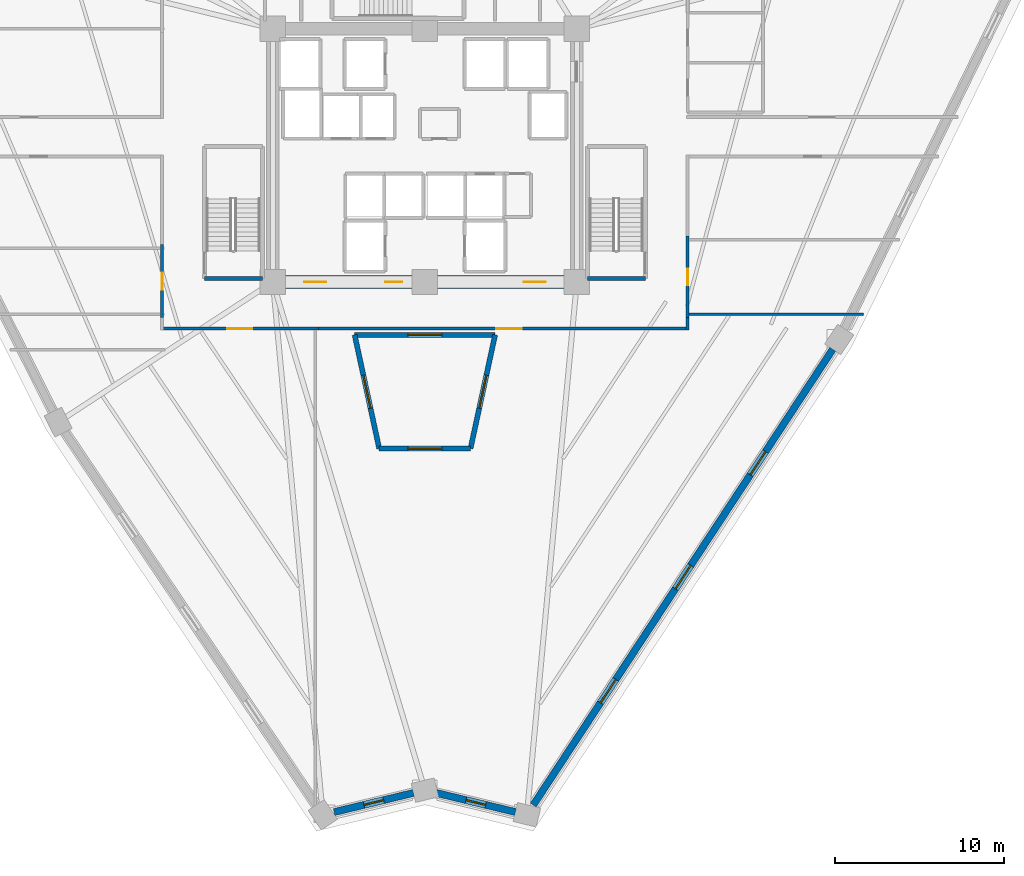
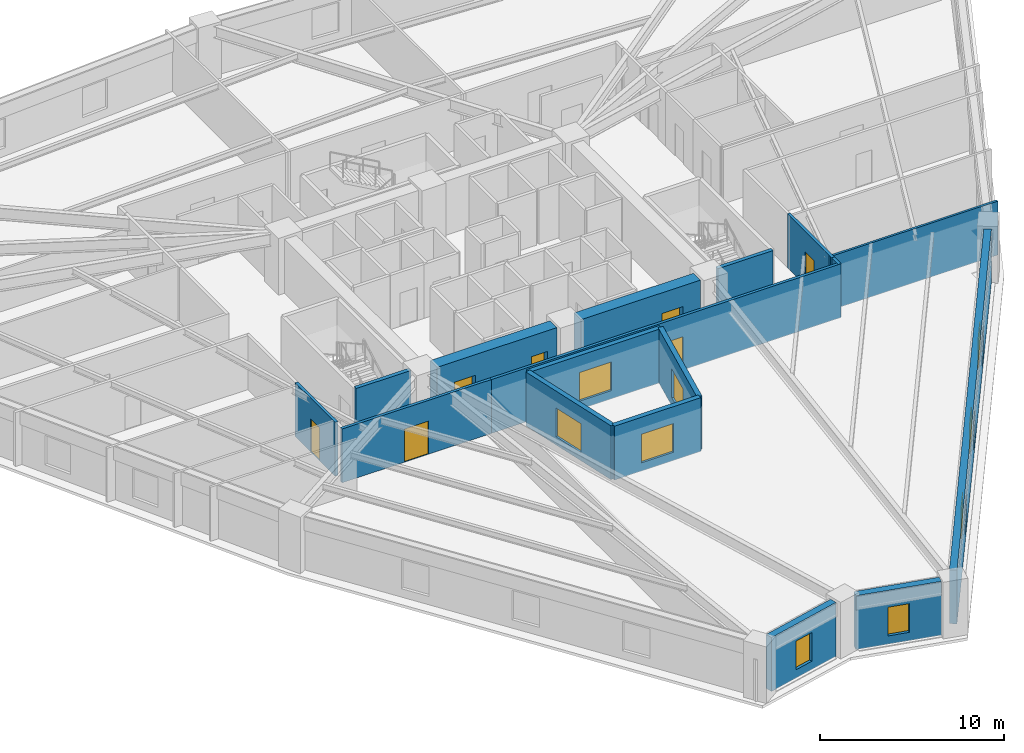
# One storey, part 3 of 9: 17 walls, 9 windows, 7 doors, 16 openings.
"""IFC4 building model written with IfcOpenShell, lengths in metres."""

from ifc_helpers import new_model, si_unit, direction, frame, frame_2d, origin, place, context, subcontext, project, spatial, rectangle, extrude, source, transform, mapped, material, layer, layer_set, type_object, element, fill, save


model = new_model("IFC4")

# Units and contexts
model_context = context("Model", 3, precision=1e-05, world=origin(), true_north=direction((0.0, 1.0)))
body_context = subcontext(model_context, "Body", "Model", "MODEL_VIEW")
ifc_project = project(units=[si_unit("LENGTHUNIT", "METRE"), si_unit("AREAUNIT", "SQUARE_METRE"), si_unit("VOLUMEUNIT", "CUBIC_METRE"), si_unit("PLANEANGLEUNIT", "RADIAN"), si_unit("MASSUNIT", "GRAM", prefix="KILO")], contexts=[model_context])

# Site, building, storey
site_placement = place(None, origin())
site = spatial("IfcSite", under=ifc_project, at=site_placement, CompositionType="ELEMENT")
building_placement = place(site_placement, origin())
building = spatial("IfcBuilding", under=site, at=building_placement, Name="Liaohun Quay Tower", CompositionType="ELEMENT")
storey_placement = place(building_placement, frame((0.0, 0.0, 102.0)))
storey = spatial("IfcBuildingStorey", under=building, at=storey_placement, Name="L26", CompositionType="ELEMENT", Elevation=102.0)

# Wall, opening, window
ifc_material_1 = material(Name="Concrete C50", Category="concrete")
ifc_layer_1 = layer(ifc_material_1, 0.300048828125, Name="Concrete C50", Category="concrete")
ifc_layer_set_1 = layer_set([ifc_layer_1], Name="Concrete C50")
wall_type_1 = type_object("IfcWallType", Name="WAL-ATR-300", PredefinedType="SOLIDWALL", material=ifc_layer_set_1)
wall_1_placement = place(storey_placement, frame((57.297119140625, 36.637939453125, 0.0), z_axis=(0.0, 0.0, 1.0), x_axis=(-0.211395025219, 0.977400707649, 0.0)))
wall_1 = element("IfcWall", 1, at=wall_1_placement, inside=storey, type_object=wall_type_1, Name="L26 Atrium Fire Compartment Wall 1", PredefinedType="SOLIDWALL", context=body_context, shape_type="SweptSolid", body=[
    extrude(rectangle(XDim=6.887939453125, YDim=0.300048828125, at=frame_2d((3.44384765625, 0.0))), origin(), (0.0, 0.0, 1.0), 3.570068359375),
])
shared_shape_1 = source(origin(), body_context, "Body", "SweptSolid", [
    extrude(rectangle(XDim=2.0, YDim=1.89990234375, at=frame_2d((1.0, 0.949951171875))), frame((0.0, 0.159912109375, 0.0), z_axis=(0.0, -1.0, 0.0), x_axis=(1.0, 0.0, 0.0)), (0.0, 0.0, 1.0), 0.320068359375),
])
opening_1_placement = place(wall_1_placement, frame((2.444091796875, 0.0, 0.550048828125)))
opening_1 = element("IfcOpeningElement", 2, at=opening_1_placement, cuts=wall_1, Name="Opening W07", PredefinedType="OPENING", context=body_context, shape_type="MappedRepresentation", body=[
    mapped(shared_shape_1, transform((0.0, 0.0, 0.0), x_axis=(1.0, 0.0, 0.0), y_axis=(0.0, 1.0, 0.0), z_axis=(0.0, 0.0, 1.0), scale=1.0)),
])
ifc_material_2 = material(Name="Class A 180-min fire-resistant insulated glazing", Category="glass")
window_type_1 = type_object("IfcWindowType", Name="WIN-ATR-FIR", PartitioningType="DOUBLE_PANEL_VERTICAL", PredefinedType="WINDOW", material=ifc_material_2)
shared_shape_2 = source(origin(), body_context, "Body", "SweptSolid", [
    extrude(rectangle(XDim=2.0, YDim=1.89990234375, at=frame_2d((1.0, 0.949951171875))), frame((0.0, 0.030029296875, 0.0), z_axis=(0.0, -1.0, 0.0), x_axis=(1.0, 0.0, 0.0)), (0.0, 0.0, 1.0), 0.06005859375),
])
window_1_placement = place(opening_1_placement, origin())
window_1 = element("IfcWindow", 3, at=window_1_placement, inside=storey, type_object=window_type_1, Name="L26 Atrium Fire-Resistant Glazing W07-1", OverallHeight=1.89990234375, OverallWidth=2.0, PartitioningType="DOUBLE_PANEL_VERTICAL", PredefinedType="WINDOW", context=body_context, shape_type="MappedRepresentation", body=[
    mapped(shared_shape_2, transform((0.0, 0.0, 0.0), x_axis=(1.0, 0.0, 0.0), y_axis=(0.0, 1.0, 0.0), z_axis=(0.0, 0.0, 1.0), scale=1.0)),
])
fill(opening_1, window_1)

wall_2_placement = place(storey_placement, frame((55.841064453125, 43.3701171875, 0.0), z_axis=(0.0, 0.0, 1.0), x_axis=(1.0, 0.0, 0.0)))
wall_2 = element("IfcWall", 4, at=wall_2_placement, inside=storey, type_object=wall_type_1, Name="L26 Atrium Fire Compartment Wall 2", PredefinedType="SOLIDWALL", context=body_context, shape_type="SweptSolid", body=[
    extrude(rectangle(XDim=8.31787109375, YDim=0.300048828125, at=frame_2d((4.158935546875, 0.0))), origin(), (0.0, 0.0, 1.0), 3.570068359375),
])
opening_2_placement = place(wall_2_placement, frame((3.158935546875, 0.0, 0.550048828125)))
opening_2 = element("IfcOpeningElement", 5, at=opening_2_placement, cuts=wall_2, Name="Opening W07", PredefinedType="OPENING", context=body_context, shape_type="MappedRepresentation", body=[
    mapped(shared_shape_1, transform((0.0, 0.0, 0.0), x_axis=(1.0, 0.0, 0.0), y_axis=(0.0, 1.0, 0.0), z_axis=(0.0, 0.0, 1.0), scale=1.0)),
])
window_2_placement = place(opening_2_placement, origin())
window_2 = element("IfcWindow", 6, at=window_2_placement, inside=storey, type_object=window_type_1, Name="L26 Atrium Fire-Resistant Glazing W07-2", OverallHeight=1.89990234375, OverallWidth=2.0, PartitioningType="DOUBLE_PANEL_VERTICAL", PredefinedType="WINDOW", context=body_context, shape_type="MappedRepresentation", body=[
    mapped(shared_shape_2, transform((0.0, 0.0, 0.0), x_axis=(1.0, 0.0, 0.0), y_axis=(0.0, 1.0, 0.0), z_axis=(0.0, 0.0, 1.0), scale=1.0)),
])
fill(opening_2, window_2)

wall_3_placement = place(storey_placement, frame((64.158935546875, 43.3701171875, 0.0), z_axis=(0.0, 0.0, 1.0), x_axis=(-0.211395025219, -0.977400707649, 0.0)))
wall_3 = element("IfcWall", 7, at=wall_3_placement, inside=storey, type_object=wall_type_1, Name="L26 Atrium Fire Compartment Wall 3", PredefinedType="SOLIDWALL", context=body_context, shape_type="SweptSolid", body=[
    extrude(rectangle(XDim=6.887939453125, YDim=0.300048828125, at=frame_2d((3.44384765625, 0.0))), origin(), (0.0, 0.0, 1.0), 3.570068359375),
])
opening_3_placement = place(wall_3_placement, frame((2.444091796875, 0.0, 0.550048828125)))
opening_3 = element("IfcOpeningElement", 8, at=opening_3_placement, cuts=wall_3, Name="Opening W07", PredefinedType="OPENING", context=body_context, shape_type="MappedRepresentation", body=[
    mapped(shared_shape_1, transform((0.0, 0.0, 0.0), x_axis=(1.0, 0.0, 0.0), y_axis=(0.0, 1.0, 0.0), z_axis=(0.0, 0.0, 1.0), scale=1.0)),
])
window_3_placement = place(opening_3_placement, origin())
window_3 = element("IfcWindow", 9, at=window_3_placement, inside=storey, type_object=window_type_1, Name="L26 Atrium Fire-Resistant Glazing W07-3", OverallHeight=1.89990234375, OverallWidth=2.0, PartitioningType="DOUBLE_PANEL_VERTICAL", PredefinedType="WINDOW", context=body_context, shape_type="MappedRepresentation", body=[
    mapped(shared_shape_2, transform((0.0, 0.0, 0.0), x_axis=(1.0, 0.0, 0.0), y_axis=(0.0, 1.0, 0.0), z_axis=(0.0, 0.0, 1.0), scale=1.0)),
])
fill(opening_3, window_3)

wall_4_placement = place(storey_placement, frame((62.702880859375, 36.637939453125, 0.0), z_axis=(0.0, 0.0, 1.0), x_axis=(-1.0, 0.0, 0.0)))
wall_4 = element("IfcWall", 10, at=wall_4_placement, inside=storey, type_object=wall_type_1, Name="L26 Atrium Fire Compartment Wall 4", PredefinedType="SOLIDWALL", context=body_context, shape_type="SweptSolid", body=[
    extrude(rectangle(XDim=5.40576171875, YDim=0.300048828125, at=frame_2d((2.702880859375, 0.0))), origin(), (0.0, 0.0, 1.0), 3.570068359375),
])
opening_4_placement = place(wall_4_placement, frame((1.702880859375, 0.0, 0.550048828125)))
opening_4 = element("IfcOpeningElement", 11, at=opening_4_placement, cuts=wall_4, Name="Opening W07", PredefinedType="OPENING", context=body_context, shape_type="MappedRepresentation", body=[
    mapped(shared_shape_1, transform((0.0, 0.0, 0.0), x_axis=(1.0, 0.0, 0.0), y_axis=(0.0, 1.0, 0.0), z_axis=(0.0, 0.0, 1.0), scale=1.0)),
])
window_4_placement = place(opening_4_placement, origin())
window_4 = element("IfcWindow", 12, at=window_4_placement, inside=storey, type_object=window_type_1, Name="L26 Atrium Fire-Resistant Glazing W07-4", OverallHeight=1.89990234375, OverallWidth=2.0, PartitioningType="DOUBLE_PANEL_VERTICAL", PredefinedType="WINDOW", context=body_context, shape_type="MappedRepresentation", body=[
    mapped(shared_shape_2, transform((0.0, 0.0, 0.0), x_axis=(1.0, 0.0, 0.0), y_axis=(0.0, 1.0, 0.0), z_axis=(0.0, 0.0, 1.0), scale=1.0)),
])
fill(opening_4, window_4)

# Wall, opening, door
ifc_material_3 = material(Name="Concrete C60", Category="concrete")
ifc_layer_2 = layer(ifc_material_3, 0.75, Name="Concrete C60", Category="concrete")
ifc_layer_set_2 = layer_set([ifc_layer_2], Name="Concrete C60")
wall_type_2 = type_object("IfcWallType", Name="WAL-COR-Z2", PredefinedType="SHEAR", material=ifc_layer_set_2)
wall_5_placement = place(storey_placement, frame((68.25, 46.5, 0.0), z_axis=(0.0, 0.0, 1.0), x_axis=(-1.0, 0.0, 0.0)))
wall_5 = element("IfcWall", 13, at=wall_5_placement, inside=storey, type_object=wall_type_2, Name="L26 Central Core Shear Wall S-E", PredefinedType="SHEAR", context=body_context, shape_type="SweptSolid", body=[
    extrude(rectangle(XDim=7.5, YDim=0.75, at=frame_2d((3.75, 0.0))), origin(), (0.0, 0.0, 1.0), 3.570068359375),
])
shared_shape_3 = source(origin(), body_context, "Body", "SweptSolid", [
    extrude(rectangle(XDim=1.300048828125, YDim=2.199951171875, at=frame_2d((0.64990234375, 1.10009765625))), frame((0.0, 0.385009765625, 0.0), z_axis=(0.0, -1.0, 0.0), x_axis=(1.0, 0.0, 0.0)), (0.0, 0.0, 1.0), 0.77001953125),
])
opening_5_placement = place(wall_5_placement, frame((1.10009765625, 0.0, 0.0)))
opening_5 = element("IfcOpeningElement", 14, at=opening_5_placement, cuts=wall_5, Name="Opening FD1", PredefinedType="OPENING", context=body_context, shape_type="MappedRepresentation", body=[
    mapped(shared_shape_3, transform((0.0, 0.0, 0.0), x_axis=(1.0, 0.0, 0.0), y_axis=(0.0, 1.0, 0.0), z_axis=(0.0, 0.0, 1.0), scale=1.0)),
])
ifc_material_4 = material(Name="Galvanised steel smokeproof fire door", Category="steel")
door_type_1 = type_object("IfcDoorType", Name="DOR-FFL-1300", OperationType="NOTDEFINED", PredefinedType="DOOR", material=ifc_material_4)
shared_shape_4 = source(origin(), body_context, "Body", "SweptSolid", [
    extrude(rectangle(XDim=1.300048828125, YDim=2.199951171875, at=frame_2d((0.64990234375, 1.10009765625))), frame((0.0, 0.02490234375, 0.0), z_axis=(0.0, -1.0, 0.0), x_axis=(1.0, 0.0, 0.0)), (0.0, 0.0, 1.0), 0.050048828125),
])
door_1_placement = place(opening_5_placement, origin())
door_1 = element("IfcDoor", 15, at=door_1_placement, inside=storey, type_object=door_type_1, Name="L26 East Core Lift Lobby Smokeproof Door", OperationType="SINGLE_SWING_LEFT", OverallHeight=2.199951171875, OverallWidth=1.300048828125, PredefinedType="DOOR", context=body_context, shape_type="MappedRepresentation", body=[
    mapped(shared_shape_4, transform((0.0, 0.0, 0.0), x_axis=(1.0, 0.0, 0.0), y_axis=(0.0, 1.0, 0.0), z_axis=(0.0, 0.0, 1.0), scale=1.0)),
])
fill(opening_5, door_1)

# Wall, openings, doors
wall_6_placement = place(storey_placement, frame((59.25, 46.5, 0.0), z_axis=(0.0, 0.0, 1.0), x_axis=(-1.0, 0.0, 0.0)))
wall_6 = element("IfcWall", 16, at=wall_6_placement, inside=storey, type_object=wall_type_2, Name="L26 Central Core Shear Wall S-W", PredefinedType="SHEAR", context=body_context, shape_type="SweptSolid", body=[
    extrude(rectangle(XDim=7.5, YDim=0.75, at=frame_2d((3.75, 0.0))), origin(), (0.0, 0.0, 1.0), 3.570068359375),
])
opening_6_placement = place(wall_6_placement, frame((5.10009765625, 0.0, 0.0)))
opening_6 = element("IfcOpeningElement", 17, at=opening_6_placement, cuts=wall_6, Name="Opening FD1", PredefinedType="OPENING", context=body_context, shape_type="MappedRepresentation", body=[
    mapped(shared_shape_3, transform((0.0, 0.0, 0.0), x_axis=(1.0, 0.0, 0.0), y_axis=(0.0, 1.0, 0.0), z_axis=(0.0, 0.0, 1.0), scale=1.0)),
])
shared_shape_5 = source(origin(), body_context, "Body", "SweptSolid", [
    extrude(rectangle(XDim=1.0, YDim=2.199951171875, at=frame_2d((0.5, 1.10009765625))), frame((0.0, 0.385009765625, 0.0), z_axis=(0.0, -1.0, 0.0), x_axis=(1.0, 0.0, 0.0)), (0.0, 0.0, 1.0), 0.77001953125),
])
opening_7_placement = place(wall_6_placement, frame((0.60009765625, 0.0, 0.0)))
opening_7 = element("IfcOpeningElement", 18, at=opening_7_placement, cuts=wall_6, Name="Opening FD2", PredefinedType="OPENING", context=body_context, shape_type="MappedRepresentation", body=[
    mapped(shared_shape_5, transform((0.0, 0.0, 0.0), x_axis=(1.0, 0.0, 0.0), y_axis=(0.0, 1.0, 0.0), z_axis=(0.0, 0.0, 1.0), scale=1.0)),
])
door_2_placement = place(opening_6_placement, origin())
door_2 = element("IfcDoor", 19, at=door_2_placement, inside=storey, type_object=door_type_1, Name="L26 West Core Lift Lobby Smokeproof Door", OperationType="SINGLE_SWING_RIGHT", OverallHeight=2.199951171875, OverallWidth=1.300048828125, PredefinedType="DOOR", context=body_context, shape_type="MappedRepresentation", body=[
    mapped(shared_shape_4, transform((0.0, 0.0, 0.0), x_axis=(1.0, 0.0, 0.0), y_axis=(0.0, 1.0, 0.0), z_axis=(0.0, 0.0, 1.0), scale=1.0)),
])
fill(opening_6, door_2)
ifc_material_5 = material(Name="Galvanised steel smokeproof lobby fire door", Category="steel")
door_type_2 = type_object("IfcDoorType", Name="DOR-FFL-1000", OperationType="NOTDEFINED", PredefinedType="DOOR", material=ifc_material_5)
shared_shape_6 = source(origin(), body_context, "Body", "SweptSolid", [
    extrude(rectangle(XDim=1.0, YDim=2.199951171875, at=frame_2d((0.5, 1.10009765625))), frame((0.0, 0.02490234375, 0.0), z_axis=(0.0, -1.0, 0.0), x_axis=(1.0, 0.0, 0.0)), (0.0, 0.0, 1.0), 0.050048828125),
])
door_3_placement = place(opening_7_placement, origin())
door_3 = element("IfcDoor", 20, at=door_3_placement, inside=storey, type_object=door_type_2, Name="L26 South Firefighting Lobby Smokeproof Door", OperationType="SINGLE_SWING_LEFT", OverallHeight=2.199951171875, OverallWidth=1.0, PredefinedType="DOOR", context=body_context, shape_type="MappedRepresentation", body=[
    mapped(shared_shape_6, transform((0.0, 0.0, 0.0), x_axis=(1.0, 0.0, 0.0), y_axis=(0.0, 1.0, 0.0), z_axis=(0.0, 0.0, 1.0), scale=1.0)),
])
fill(opening_7, door_3)

# Wall, opening, window
ifc_material_6 = material(Name="Precast concrete C50 insulated sandwich", Category="concrete")
ifc_layer_3 = layer(ifc_material_6, 0.419921875, Name="Precast concrete C50 insulated sandwich", Category="concrete")
ifc_layer_set_3 = layer_set([ifc_layer_3], Name="Precast concrete C50 insulated sandwich")
wall_type_3 = type_object("IfcWallType", Name="WAL-EXT-Z12", PredefinedType="SOLIDWALL", material=ifc_layer_set_3)
wall_7_placement = place(storey_placement, frame((60.6708984375, 16.2490234375, 0.0), z_axis=(0.0, 0.0, 1.0), x_axis=(0.972069490492, -0.234693216037, 0.0)))
wall_7 = element("IfcWall", 21, at=wall_7_placement, inside=storey, type_object=wall_type_3, Name="L26 Brutalist Precast Pier Wall 01", PredefinedType="SOLIDWALL", context=body_context, shape_type="SweptSolid", body=[
    extrude(rectangle(XDim=4.83203125, YDim=0.419921875, at=frame_2d((2.416015625, 0.0))), origin(), (0.0, 0.0, 1.0), 3.570068359375),
])
shared_shape_7 = source(origin(), body_context, "Body", "SweptSolid", [
    extrude(rectangle(XDim=1.199951171875, YDim=1.89990234375, at=frame_2d((0.60009765625, 0.949951171875))), frame((0.0, 0.219970703125, 0.0), z_axis=(0.0, -1.0, 0.0), x_axis=(1.0, 0.0, 0.0)), (0.0, 0.0, 1.0), 0.43994140625),
])
opening_8_placement = place(wall_7_placement, frame((1.81591796875, 0.0, 0.550048828125)))
opening_8 = element("IfcOpeningElement", 22, at=opening_8_placement, cuts=wall_7, Name="Opening W05", PredefinedType="OPENING", context=body_context, shape_type="MappedRepresentation", body=[
    mapped(shared_shape_7, transform((0.0, 0.0, 0.0), x_axis=(1.0, 0.0, 0.0), y_axis=(0.0, 1.0, 0.0), z_axis=(0.0, 0.0, 1.0), scale=1.0)),
])
ifc_material_7 = material(Name="Triple Low-E corner notch glazing", Category="glass")
window_type_2 = type_object("IfcWindowType", Name="WIN-NOTCH", PartitioningType="SINGLE_PANEL", PredefinedType="WINDOW", material=ifc_material_7)
shared_shape_8 = source(origin(), body_context, "Body", "SweptSolid", [
    extrude(rectangle(XDim=1.199951171875, YDim=1.89990234375, at=frame_2d((0.60009765625, 0.949951171875))), frame((0.0, 0.030029296875, 0.0), z_axis=(0.0, -1.0, 0.0), x_axis=(1.0, 0.0, 0.0)), (0.0, 0.0, 1.0), 0.06005859375),
])
window_5_placement = place(opening_8_placement, origin())
window_5 = element("IfcWindow", 23, at=window_5_placement, inside=storey, type_object=window_type_2, Name="L26 Corner Notch Window W05-01", OverallHeight=1.89990234375, OverallWidth=1.199951171875, PartitioningType="SINGLE_PANEL", PredefinedType="WINDOW", context=body_context, shape_type="MappedRepresentation", body=[
    mapped(shared_shape_8, transform((0.0, 0.0, 0.0), x_axis=(1.0, 0.0, 0.0), y_axis=(0.0, 1.0, 0.0), z_axis=(0.0, 0.0, 1.0), scale=1.0)),
])
fill(opening_8, window_5)

# Wall, openings, windows
wall_8_placement = place(storey_placement, frame((66.41796875, 15.530029296875, 0.0), z_axis=(0.0, 0.0, 1.0), x_axis=(0.549159785608, 0.835717374398, 0.0)))
wall_8 = element("IfcWall", 24, at=wall_8_placement, inside=storey, type_object=wall_type_3, Name="L26 Brutalist Precast Pier Wall 02", PredefinedType="SOLIDWALL", context=body_context, shape_type="SweptSolid", body=[
    extrude(rectangle(XDim=32.296875, YDim=0.419921875, at=frame_2d((16.1484375, 0.0))), origin(), (0.0, 0.0, 1.0), 3.570068359375),
])
shared_shape_9 = source(origin(), body_context, "Body", "SweptSolid", [
    extrude(rectangle(XDim=1.64990234375, YDim=1.949951171875, at=frame_2d((0.824951171875, 0.97509765625))), frame((0.0, 0.219970703125, 0.0), z_axis=(0.0, -1.0, 0.0), x_axis=(1.0, 0.0, 0.0)), (0.0, 0.0, 1.0), 0.43994140625),
])
opening_9_placement = place(wall_8_placement, frame((7.2490234375, 0.0, 0.550048828125)))
opening_9 = element("IfcOpeningElement", 25, at=opening_9_placement, cuts=wall_8, Name="Opening W02", PredefinedType="OPENING", context=body_context, shape_type="MappedRepresentation", body=[
    mapped(shared_shape_9, transform((0.0, 0.0, 0.0), x_axis=(1.0, 0.0, 0.0), y_axis=(0.0, 1.0, 0.0), z_axis=(0.0, 0.0, 1.0), scale=1.0)),
])
opening_10_placement = place(wall_8_placement, frame((15.322998046875, 0.0, 0.550048828125)))
opening_10 = element("IfcOpeningElement", 26, at=opening_10_placement, cuts=wall_8, Name="Opening W02", PredefinedType="OPENING", context=body_context, shape_type="MappedRepresentation", body=[
    mapped(shared_shape_9, transform((0.0, 0.0, 0.0), x_axis=(1.0, 0.0, 0.0), y_axis=(0.0, 1.0, 0.0), z_axis=(0.0, 0.0, 1.0), scale=1.0)),
])
opening_11_placement = place(wall_8_placement, frame((23.39794921875, 0.0, 0.550048828125)))
opening_11 = element("IfcOpeningElement", 27, at=opening_11_placement, cuts=wall_8, Name="Opening W02", PredefinedType="OPENING", context=body_context, shape_type="MappedRepresentation", body=[
    mapped(shared_shape_9, transform((0.0, 0.0, 0.0), x_axis=(1.0, 0.0, 0.0), y_axis=(0.0, 1.0, 0.0), z_axis=(0.0, 0.0, 1.0), scale=1.0)),
])
ifc_material_8 = material(Name="Triple Low-E argon glazing in thermally broken aluminium", Category="aluminium")
window_type_3 = type_object("IfcWindowType", Name="WIN-PUN-Z2", PartitioningType="DOUBLE_PANEL_VERTICAL", PredefinedType="WINDOW", material=ifc_material_8)
shared_shape_10 = source(origin(), body_context, "Body", "SweptSolid", [
    extrude(rectangle(XDim=1.64990234375, YDim=1.949951171875, at=frame_2d((0.824951171875, 0.97509765625))), frame((0.0, 0.030029296875, 0.0), z_axis=(0.0, -1.0, 0.0), x_axis=(1.0, 0.0, 0.0)), (0.0, 0.0, 1.0), 0.06005859375),
])
window_6_placement = place(opening_9_placement, origin())
window_6 = element("IfcWindow", 28, at=window_6_placement, inside=storey, type_object=window_type_3, Name="L26 Recessed Cold-Climate Punched Window 02-1", OverallHeight=1.949951171875, OverallWidth=1.64990234375, PartitioningType="DOUBLE_PANEL_VERTICAL", PredefinedType="WINDOW", context=body_context, shape_type="MappedRepresentation", body=[
    mapped(shared_shape_10, transform((0.0, 0.0, 0.0), x_axis=(1.0, 0.0, 0.0), y_axis=(0.0, 1.0, 0.0), z_axis=(0.0, 0.0, 1.0), scale=1.0)),
])
fill(opening_9, window_6)
window_7_placement = place(opening_10_placement, origin())
window_7 = element("IfcWindow", 29, at=window_7_placement, inside=storey, type_object=window_type_3, Name="L26 Recessed Cold-Climate Punched Window 02-2", OverallHeight=1.949951171875, OverallWidth=1.64990234375, PartitioningType="DOUBLE_PANEL_VERTICAL", PredefinedType="WINDOW", context=body_context, shape_type="MappedRepresentation", body=[
    mapped(shared_shape_10, transform((0.0, 0.0, 0.0), x_axis=(1.0, 0.0, 0.0), y_axis=(0.0, 1.0, 0.0), z_axis=(0.0, 0.0, 1.0), scale=1.0)),
])
fill(opening_10, window_7)
window_8_placement = place(opening_11_placement, origin())
window_8 = element("IfcWindow", 30, at=window_8_placement, inside=storey, type_object=window_type_3, Name="L26 Recessed Cold-Climate Punched Window 02-3", OverallHeight=1.949951171875, OverallWidth=1.64990234375, PartitioningType="DOUBLE_PANEL_VERTICAL", PredefinedType="WINDOW", context=body_context, shape_type="MappedRepresentation", body=[
    mapped(shared_shape_10, transform((0.0, 0.0, 0.0), x_axis=(1.0, 0.0, 0.0), y_axis=(0.0, 1.0, 0.0), z_axis=(0.0, 0.0, 1.0), scale=1.0)),
])
fill(opening_11, window_8)

# Wall, opening, window
wall_9_placement = place(storey_placement, frame((54.625, 15.113037109375, 0.0), z_axis=(0.0, 0.0, 1.0), x_axis=(0.972057999052, 0.234740807016, 0.0)))
wall_9 = element("IfcWall", 31, at=wall_9_placement, inside=storey, type_object=wall_type_3, Name="L26 Brutalist Precast Pier Wall 12", PredefinedType="SOLIDWALL", context=body_context, shape_type="SweptSolid", body=[
    extrude(rectangle(XDim=4.83935546875, YDim=0.419921875, at=frame_2d((2.419677734375, 0.0))), origin(), (0.0, 0.0, 1.0), 3.570068359375),
])
opening_12_placement = place(wall_9_placement, frame((1.820068359375, 0.0, 0.550048828125)))
opening_12 = element("IfcOpeningElement", 32, at=opening_12_placement, cuts=wall_9, Name="Opening W05", PredefinedType="OPENING", context=body_context, shape_type="MappedRepresentation", body=[
    mapped(shared_shape_7, transform((0.0, 0.0, 0.0), x_axis=(1.0, 0.0, 0.0), y_axis=(0.0, 1.0, 0.0), z_axis=(0.0, 0.0, 1.0), scale=1.0)),
])
window_9_placement = place(opening_12_placement, origin())
window_9 = element("IfcWindow", 33, at=window_9_placement, inside=storey, type_object=window_type_2, Name="L26 Corner Notch Window W05-12", OverallHeight=1.89990234375, OverallWidth=1.199951171875, PartitioningType="SINGLE_PANEL", PredefinedType="WINDOW", context=body_context, shape_type="MappedRepresentation", body=[
    mapped(shared_shape_8, transform((0.0, 0.0, 0.0), x_axis=(1.0, 0.0, 0.0), y_axis=(0.0, 1.0, 0.0), z_axis=(0.0, 0.0, 1.0), scale=1.0)),
])
fill(opening_12, window_9)

# Wall, opening, door
ifc_material_9 = material(Name="Autoclaved aerated concrete blockwork", Category="masonry")
ifc_layer_4 = layer(ifc_material_9, 0.179931640625, Name="Autoclaved aerated concrete blockwork", Category="masonry")
ifc_layer_set_4 = layer_set([ifc_layer_4], Name="Autoclaved aerated concrete blockwork")
wall_type_4 = type_object("IfcWallType", Name="WAL-PRT-COR", PredefinedType="PARTITIONING", material=ifc_layer_set_4)
wall_10_placement = place(storey_placement, frame((44.43994140625, 44.385009765625, 0.0), z_axis=(0.0, 0.0, 1.0), x_axis=(0.0, 1.0, 0.0)))
wall_10 = element("IfcWall", 34, at=wall_10_placement, inside=storey, type_object=wall_type_4, Name="L26 Interior Partition Wall 017", PredefinedType="PARTITIONING", context=body_context, shape_type="SweptSolid", body=[
    extrude(rectangle(XDim=4.330078125, YDim=0.179931640625, at=frame_2d((2.1650390625, 0.0))), origin(), (0.0, 0.0, 1.0), 3.570068359375),
])
shared_shape_11 = source(origin(), body_context, "Body", "SweptSolid", [
    extrude(rectangle(XDim=1.0, YDim=2.199951171875, at=frame_2d((0.5, 1.10009765625))), frame((0.0, 0.099853515625, 0.0), z_axis=(0.0, -1.0, 0.0), x_axis=(1.0, 0.0, 0.0)), (0.0, 0.0, 1.0), 0.199951171875),
])
opening_13_placement = place(wall_10_placement, frame((1.6650390625, 0.0, 0.0)))
opening_13 = element("IfcOpeningElement", 35, at=opening_13_placement, cuts=wall_10, Name="Opening OD1", PredefinedType="OPENING", context=body_context, shape_type="MappedRepresentation", body=[
    mapped(shared_shape_11, transform((0.0, 0.0, 0.0), x_axis=(1.0, 0.0, 0.0), y_axis=(0.0, 1.0, 0.0), z_axis=(0.0, 0.0, 1.0), scale=1.0)),
])
ifc_material_10 = material(Name="Solid-core oak veneer timber leaf in steel frame", Category="steel")
door_type_3 = type_object("IfcDoorType", Name="DOR-OFF-1000", OperationType="NOTDEFINED", PredefinedType="DOOR", material=ifc_material_10)
door_4_placement = place(opening_13_placement, origin())
door_4 = element("IfcDoor", 36, at=door_4_placement, inside=storey, type_object=door_type_3, Name="L26 Corporate Exhibition Gallery 08 Door", OperationType="SINGLE_SWING_LEFT", OverallHeight=2.199951171875, OverallWidth=1.0, PredefinedType="DOOR", context=body_context, shape_type="MappedRepresentation", body=[
    mapped(shared_shape_6, transform((0.0, 0.0, 0.0), x_axis=(1.0, 0.0, 0.0), y_axis=(0.0, 1.0, 0.0), z_axis=(0.0, 0.0, 1.0), scale=1.0)),
])
fill(opening_13, door_4)

wall_11_placement = place(storey_placement, frame((53.715087890625, 43.739990234375, 0.0), z_axis=(0.0, 0.0, 1.0), x_axis=(-1.0, 0.0, 0.0)))
wall_11 = element("IfcWall", 37, at=wall_11_placement, inside=storey, type_object=wall_type_4, Name="L26 Interior Partition Wall 018", PredefinedType="PARTITIONING", context=body_context, shape_type="SweptSolid", body=[
    extrude(rectangle(XDim=9.344970703125, YDim=0.179931640625, at=frame_2d((4.67236328125, 0.0))), origin(), (0.0, 0.0, 1.0), 3.570068359375),
])
shared_shape_12 = source(origin(), body_context, "Body", "SweptSolid", [
    extrude(rectangle(XDim=1.5, YDim=2.199951171875, at=frame_2d((0.75, 1.10009765625))), frame((0.0, 0.099853515625, 0.0), z_axis=(0.0, -1.0, 0.0), x_axis=(1.0, 0.0, 0.0)), (0.0, 0.0, 1.0), 0.199951171875),
])
opening_14_placement = place(wall_11_placement, frame((3.923095703125, 0.0, 0.0)))
opening_14 = element("IfcOpeningElement", 38, at=opening_14_placement, cuts=wall_11, Name="Opening OD2", PredefinedType="OPENING", context=body_context, shape_type="MappedRepresentation", body=[
    mapped(shared_shape_12, transform((0.0, 0.0, 0.0), x_axis=(1.0, 0.0, 0.0), y_axis=(0.0, 1.0, 0.0), z_axis=(0.0, 0.0, 1.0), scale=1.0)),
])
ifc_material_11 = material(Name="Acoustic oak veneer double door")
door_type_4 = type_object("IfcDoorType", Name="DOR-OFF-1500", OperationType="DOUBLE_DOOR_SINGLE_SWING", PredefinedType="DOOR", material=ifc_material_11)
shared_shape_13 = source(origin(), body_context, "Body", "SweptSolid", [
    extrude(rectangle(XDim=1.5, YDim=2.199951171875, at=frame_2d((0.75, 1.10009765625))), frame((0.0, 0.02490234375, 0.0), z_axis=(0.0, -1.0, 0.0), x_axis=(1.0, 0.0, 0.0)), (0.0, 0.0, 1.0), 0.050048828125),
])
door_5_placement = place(opening_14_placement, origin())
door_5 = element("IfcDoor", 39, at=door_5_placement, inside=storey, type_object=door_type_4, Name="L26 Records Archive Store 09 Door", OperationType="DOUBLE_DOOR_SINGLE_SWING", OverallHeight=2.199951171875, OverallWidth=1.5, PredefinedType="DOOR", context=body_context, shape_type="MappedRepresentation", body=[
    mapped(shared_shape_13, transform((0.0, 0.0, 0.0), x_axis=(1.0, 0.0, 0.0), y_axis=(0.0, 1.0, 0.0), z_axis=(0.0, 0.0, 1.0), scale=1.0)),
])
fill(opening_14, door_5)

wall_12_placement = place(storey_placement, frame((75.6298828125, 43.739990234375, 0.0), z_axis=(0.0, 0.0, 1.0), x_axis=(-1.0, 0.0, 0.0)))
wall_12 = element("IfcWall", 40, at=wall_12_placement, inside=storey, type_object=wall_type_4, Name="L26 Interior Partition Wall 019", PredefinedType="PARTITIONING", context=body_context, shape_type="SweptSolid", body=[
    extrude(rectangle(XDim=21.914794921875, YDim=0.179931640625, at=frame_2d((10.95751953125, 0.0))), origin(), (0.0, 0.0, 1.0), 3.570068359375),
])
opening_15_placement = place(wall_12_placement, frame((9.906982421875, 0.0, 0.0)))
opening_15 = element("IfcOpeningElement", 41, at=opening_15_placement, cuts=wall_12, Name="Opening OD2", PredefinedType="OPENING", context=body_context, shape_type="MappedRepresentation", body=[
    mapped(shared_shape_12, transform((0.0, 0.0, 0.0), x_axis=(1.0, 0.0, 0.0), y_axis=(0.0, 1.0, 0.0), z_axis=(0.0, 0.0, 1.0), scale=1.0)),
])
door_6_placement = place(opening_15_placement, origin())
door_6 = element("IfcDoor", 42, at=door_6_placement, inside=storey, type_object=door_type_4, Name="L26 Open-Plan Office Workplace 10 Door", OperationType="DOUBLE_DOOR_SINGLE_SWING", OverallHeight=2.199951171875, OverallWidth=1.5, PredefinedType="DOOR", context=body_context, shape_type="MappedRepresentation", body=[
    mapped(shared_shape_13, transform((0.0, 0.0, 0.0), x_axis=(1.0, 0.0, 0.0), y_axis=(0.0, 1.0, 0.0), z_axis=(0.0, 0.0, 1.0), scale=1.0)),
])
fill(opening_15, door_6)

wall_13_placement = place(storey_placement, frame((75.56005859375, 49.215087890625, 0.0), z_axis=(0.0, 0.0, 1.0), x_axis=(0.0, -1.0, 0.0)))
wall_13 = element("IfcWall", 43, at=wall_13_placement, inside=storey, type_object=wall_type_4, Name="L26 Interior Partition Wall 020", PredefinedType="PARTITIONING", context=body_context, shape_type="SweptSolid", body=[
    extrude(rectangle(XDim=4.830078125, YDim=0.179931640625, at=frame_2d((2.4150390625, 0.0))), origin(), (0.0, 0.0, 1.0), 3.570068359375),
])
opening_16_placement = place(wall_13_placement, frame((1.9150390625, 0.0, 0.0)))
opening_16 = element("IfcOpeningElement", 44, at=opening_16_placement, cuts=wall_13, Name="Opening OD1", PredefinedType="OPENING", context=body_context, shape_type="MappedRepresentation", body=[
    mapped(shared_shape_11, transform((0.0, 0.0, 0.0), x_axis=(1.0, 0.0, 0.0), y_axis=(0.0, 1.0, 0.0), z_axis=(0.0, 0.0, 1.0), scale=1.0)),
])
door_7_placement = place(opening_16_placement, origin())
door_7 = element("IfcDoor", 45, at=door_7_placement, inside=storey, type_object=door_type_3, Name="L26 Executive Partner Office 11 Door", OperationType="SINGLE_SWING_RIGHT", OverallHeight=2.199951171875, OverallWidth=1.0, PredefinedType="DOOR", context=body_context, shape_type="MappedRepresentation", body=[
    mapped(shared_shape_6, transform((0.0, 0.0, 0.0), x_axis=(1.0, 0.0, 0.0), y_axis=(0.0, 1.0, 0.0), z_axis=(0.0, 0.0, 1.0), scale=1.0)),
])
fill(opening_16, door_7)

# Walls
wall_14_placement = place(storey_placement, frame((75.56005859375, 44.385009765625, 0.0), z_axis=(0.0, 0.0, 1.0), x_axis=(0.0, -1.0, 0.0)))
element("IfcWall", 46, at=wall_14_placement, inside=storey, type_object=wall_type_4, Name="L26 Interior Partition Wall 042", PredefinedType="PARTITIONING", context=body_context, shape_type="SweptSolid", body=[
    extrude(rectangle(XDim=0.715087890625, YDim=0.179931640625, at=frame_2d((0.357421875, 0.0))), origin(), (0.0, 0.0, 1.0), 3.570068359375),
])
ifc_material_12 = material(Name="Gypsum board on twin steel studs", Category="steel")
ifc_layer_5 = layer(ifc_material_12, 0.139892578125, Name="Gypsum board on twin steel studs", Category="steel")
ifc_layer_set_5 = layer_set([ifc_layer_5], Name="Gypsum board on twin steel studs")
wall_type_5 = type_object("IfcWallType", Name="WAL-PRT-OFF", PredefinedType="PARTITIONING", material=ifc_layer_set_5)
wall_15_placement = place(storey_placement, frame((75.4599609375, 44.60009765625, 0.0), z_axis=(0.0, 0.0, 1.0), x_axis=(1.0, 0.0, 0.0)))
element("IfcWall", 47, at=wall_15_placement, inside=storey, type_object=wall_type_5, Name="L26 Interior Partition Wall 049", PredefinedType="PARTITIONING", context=body_context, shape_type="SweptSolid", body=[
    extrude(rectangle(XDim=10.508056640625, YDim=0.139892578125, at=frame_2d((5.25390625, 0.0))), origin(), (0.0, 0.0, 1.0), 3.570068359375),
])
ifc_layer_6 = layer(ifc_material_1, 0.239990234375, Name="Concrete C50", Category="concrete")
ifc_layer_set_6 = layer_set([ifc_layer_6], Name="Concrete C50")
wall_type_6 = type_object("IfcWallType", Name="WAL-SHF-200", PredefinedType="SOLIDWALL", material=ifc_layer_set_6)
for number, where, z_axis, x_axis, name in (
    (48, (46.93994140625, 46.699951171875, 0.0), (0.0, 0.0, 1.0), (1.0, 0.0, 0.0), "L26 Stairwell ST-1 Structural Core Wall S"),
    (49, (69.6201171875, 46.699951171875, 0.0), (0.0, 0.0, 1.0), (1.0, 0.0, 0.0), "L26 Stairwell ST-2 Structural Core Wall S"),
):
    element("IfcWall", number, at=place(storey_placement, frame(where, z_axis=z_axis, x_axis=x_axis)), inside=storey, type_object=wall_type_6, Name=name, PredefinedType="SOLIDWALL", context=body_context, shape_type="SweptSolid", body=[
        extrude(rectangle(XDim=3.43994140625, YDim=0.239990234375, at=frame_2d((1.719970703125, 0.0))), origin(), (0.0, 0.0, 1.0), 3.570068359375),
    ])

save(model, "model.ifc")
